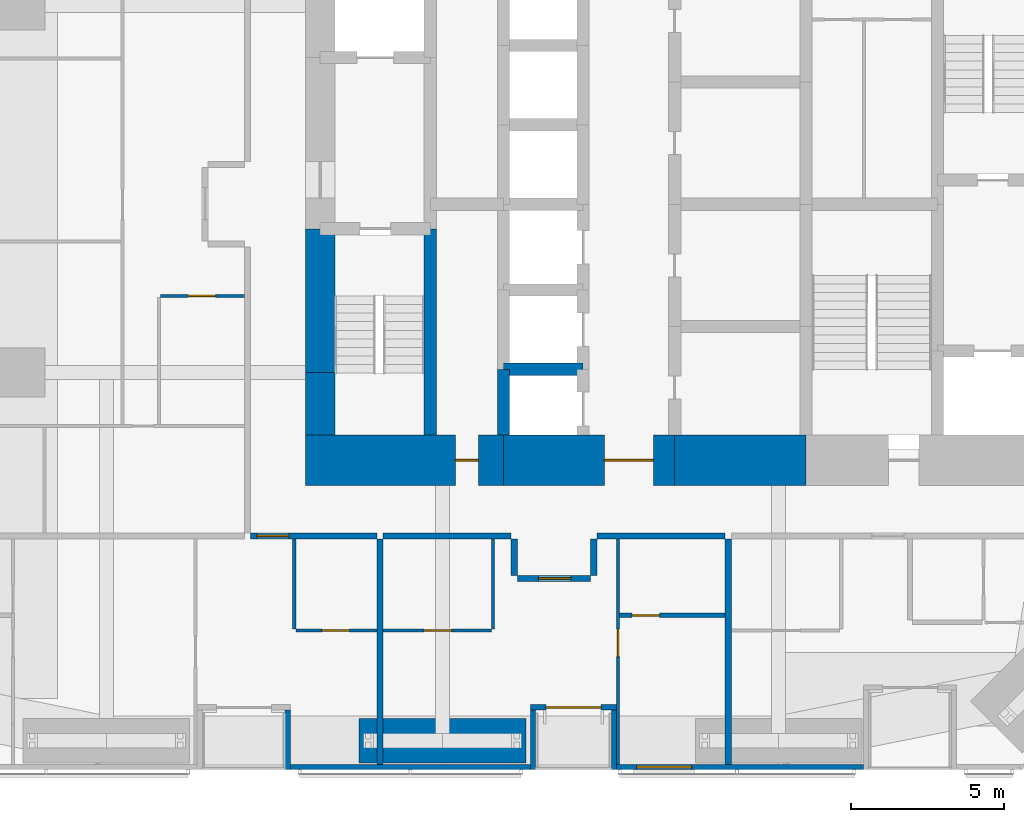
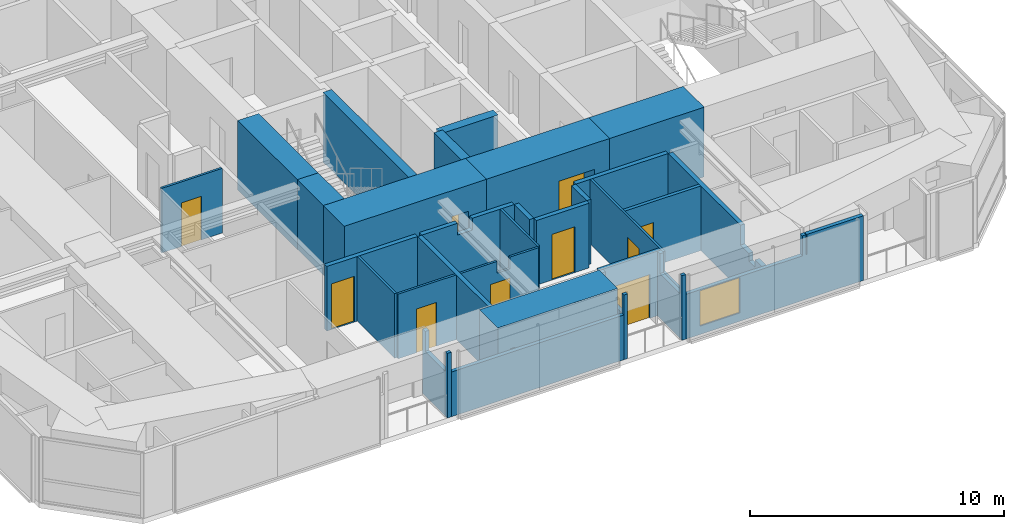
# One storey, part 17 of 23: 30 walls, 10 doors, 1 window, 11 openings.
"""IFC4 building model written with IfcOpenShell, lengths in metres."""

from ifc_helpers import new_model, si_unit, direction, frame, frame_2d, origin, place, context, subcontext, project, spatial, polyline, rectangle, outline, extrude, material, layer, layer_set, constituent, constituent_set, type_object, element, fill, save


model = new_model("IFC4")

# Units and contexts
model_context = context("Model", 3, precision=1e-05, world=origin(), true_north=direction((0.0, 1.0)))
body_context = subcontext(model_context, "Body", "Model", "MODEL_VIEW")
ifc_project = project(units=[si_unit("LENGTHUNIT", "METRE"), si_unit("AREAUNIT", "SQUARE_METRE"), si_unit("VOLUMEUNIT", "CUBIC_METRE"), si_unit("PLANEANGLEUNIT", "RADIAN"), si_unit("MASSUNIT", "GRAM", prefix="KILO")], contexts=[model_context])

# Site, building, storey
site_placement = place(None, origin())
site = spatial("IfcSite", under=ifc_project, at=site_placement, CompositionType="ELEMENT")
building_placement = place(site_placement, origin())
building = spatial("IfcBuilding", under=site, at=building_placement, Name="Jalousie Tower", CompositionType="ELEMENT")
storey_placement = place(building_placement, frame((0.0, 0.0, 24.35009765625)))
storey = spatial("IfcBuildingStorey", under=building, at=storey_placement, Name="L05", CompositionType="ELEMENT", Elevation=24.35009765625)

# Wall, opening, door
ifc_material_1 = material(Name="Concrete block ASTM C90", Category="concrete")
ifc_constituent_1 = constituent(ifc_material_1, Name="Body")
ifc_material_2 = material(Name="Render")
ifc_constituent_2 = constituent(ifc_material_2, Name="Finish")
ifc_constituent_set_1 = constituent_set(constituents=[ifc_constituent_1, ifc_constituent_2])
wall_type_1 = type_object("IfcWallType", Name="BATHROOM WALL 150", PredefinedType="PLUMBINGWALL", material=ifc_constituent_set_1)
wall_1_placement = place(storey_placement, frame((29.800048828125, 5.050048828125, 0.0), z_axis=(0.0, 0.0, 1.0), x_axis=(1.0, 0.0, 0.0)))
wall_1 = element("IfcWall", 1, at=wall_1_placement, inside=storey, type_object=wall_type_1, Name="Bathroom Wall 150 L05", PredefinedType="PLUMBINGWALL", context=body_context, shape_type="SweptSolid", body=[
    extrude(rectangle(XDim=3.449951171875, YDim=0.14990234375, at=frame_2d((1.72509765625, 0.0))), origin(), (0.0, 0.0, 1.0), 3.10986328125),
])
opening_1_placement = place(wall_1_placement, frame((0.39990234375, 0.0, 0.0)))
opening_1 = element("IfcOpeningElement", 2, at=opening_1_placement, cuts=wall_1, Name="Opening D3", PredefinedType="OPENING", context=body_context, shape_type="SweptSolid", body=[
    extrude(rectangle(XDim=0.89990234375, YDim=2.10009765625, at=frame_2d((0.449951171875, 1.050048828125))), frame((0.0, 0.0849609375, 0.0), z_axis=(0.0, -1.0, 0.0), x_axis=(1.0, 0.0, 0.0)), (0.0, 0.0, 1.0), 0.169921875),
])
ifc_material_3 = material(Name="Timber door", Category="wood")
door_type_1 = type_object("IfcDoorType", Name="BATHROOM DOOR 900", OperationType="SINGLE_SWING_LEFT", PredefinedType="DOOR", material=ifc_material_3)
door_1_placement = place(opening_1_placement, origin())
door_1 = element("IfcDoor", 3, at=door_1_placement, inside=storey, type_object=door_type_1, Name="Apartment 0502 bedroom 1 bathroom door", OperationType="SINGLE_SWING_LEFT", OverallHeight=2.10009765625, OverallWidth=0.89990234375, PredefinedType="DOOR", context=body_context, shape_type="SweptSolid", body=[
    extrude(rectangle(XDim=0.89990234375, YDim=2.10009765625, at=frame_2d((0.449951171875, 1.050048828125))), frame((0.0, 0.02490234375, 0.0), z_axis=(0.0, -1.0, 0.0), x_axis=(1.0, 0.0, 0.0)), (0.0, 0.0, 1.0), 0.050048828125),
])
fill(opening_1, door_1)

ifc_material_4 = material(Name="Concrete f'c 120 MPa", Category="concrete")
ifc_layer_1 = layer(ifc_material_4, 1.64990234375)
ifc_layer_set_1 = layer_set([ifc_layer_1], Name="Concrete f'c 120 MPa")
wall_type_2 = type_object("IfcWallType", Name="CORE WALL 1650", PredefinedType="SHEAR", material=ifc_layer_set_1)
wall_2_placement = place(storey_placement, frame((19.52490234375, 10.125, 0.0), z_axis=(0.0, 0.0, 1.0), x_axis=(1.0, 0.0, 0.0)))
wall_2 = element("IfcWall", 4, at=wall_2_placement, inside=storey, type_object=wall_type_2, Name="Core wall SA L05", PredefinedType="SHEAR", context=body_context, shape_type="SweptSolid", body=[
    extrude(rectangle(XDim=6.47509765625, YDim=1.64990234375, at=frame_2d((3.237548828125, 0.0))), origin(), (0.0, 0.0, 1.0), 3.349853515625),
])
opening_2_placement = place(wall_2_placement, frame((4.89990234375, 0.0, 0.0)))
opening_2 = element("IfcOpeningElement", 5, at=opening_2_placement, cuts=wall_2, Name="Opening D16", PredefinedType="OPENING", context=body_context, shape_type="SweptSolid", body=[
    extrude(rectangle(XDim=0.75, YDim=2.10009765625, at=frame_2d((0.375, 1.050048828125))), frame((0.0, 0.8349609375, 0.0), z_axis=(0.0, -1.0, 0.0), x_axis=(1.0, 0.0, 0.0)), (0.0, 0.0, 1.0), 1.669921875),
])
ifc_material_5 = material(Name="Steel fire door", Category="steel")
door_type_2 = type_object("IfcDoorType", Name="RISER DOOR 750", OperationType="SINGLE_SWING_LEFT", PredefinedType="DOOR", material=ifc_material_5)
door_2_placement = place(opening_2_placement, origin())
door_2 = element("IfcDoor", 6, at=door_2_placement, inside=storey, type_object=door_type_2, Name="South riser door", OperationType="SINGLE_SWING_LEFT", OverallHeight=2.10009765625, OverallWidth=0.75, PredefinedType="DOOR", context=body_context, shape_type="SweptSolid", body=[
    extrude(rectangle(XDim=0.75, YDim=2.10009765625, at=frame_2d((0.375, 1.050048828125))), frame((0.0, 0.02490234375, 0.0), z_axis=(0.0, -1.0, 0.0), x_axis=(1.0, 0.0, 0.0)), (0.0, 0.0, 1.0), 0.050048828125),
])
fill(opening_2, door_2)

wall_3_placement = place(storey_placement, frame((26.0, 10.125, 0.0), z_axis=(0.0, 0.0, 1.0), x_axis=(1.0, 0.0, 0.0)))
wall_3 = element("IfcWall", 7, at=wall_3_placement, inside=storey, type_object=wall_type_2, Name="Core wall SB L05", PredefinedType="SHEAR", context=body_context, shape_type="SweptSolid", body=[
    extrude(rectangle(XDim=5.60009765625, YDim=1.64990234375, at=frame_2d((2.800048828125, 0.0))), origin(), (0.0, 0.0, 1.0), 3.349853515625),
])
opening_3_placement = place(wall_3_placement, frame((3.300048828125, 0.0, 0.0)))
opening_3 = element("IfcOpeningElement", 8, at=opening_3_placement, cuts=wall_3, Name="Opening D15", PredefinedType="OPENING", context=body_context, shape_type="SweptSolid", body=[
    extrude(rectangle(XDim=1.60009765625, YDim=2.10009765625, at=frame_2d((0.800048828125, 1.050048828125))), frame((0.0, 0.8349609375, 0.0), z_axis=(0.0, -1.0, 0.0), x_axis=(1.0, 0.0, 0.0)), (0.0, 0.0, 1.0), 1.669921875),
])
ifc_material_6 = material(Name="Steel fire door", Category="steel")
door_type_3 = type_object("IfcDoorType", Name="LIFT LOBBY DOOR 1600", OperationType="DOUBLE_DOOR_SINGLE_SWING", PredefinedType="DOOR", material=ifc_material_6)
door_3_placement = place(opening_3_placement, origin())
door_3 = element("IfcDoor", 9, at=door_3_placement, inside=storey, type_object=door_type_3, Name="Lift lobby south door", OperationType="DOUBLE_DOOR_SINGLE_SWING", OverallHeight=2.10009765625, OverallWidth=1.60009765625, PredefinedType="DOOR", context=body_context, shape_type="SweptSolid", body=[
    extrude(rectangle(XDim=1.60009765625, YDim=2.10009765625, at=frame_2d((0.800048828125, 1.050048828125))), frame((0.0, 0.02490234375, 0.0), z_axis=(0.0, -1.0, 0.0), x_axis=(1.0, 0.0, 0.0)), (0.0, 0.0, 1.0), 0.050048828125),
])
fill(opening_3, door_3)

# Walls
wall_4_placement = place(storey_placement, frame((31.60009765625, 10.125, 0.0), z_axis=(0.0, 0.0, 1.0), x_axis=(1.0, 0.0, 0.0)))
element("IfcWall", 10, at=wall_4_placement, inside=storey, type_object=wall_type_2, Name="Core wall SC L05", PredefinedType="SHEAR", context=body_context, shape_type="SweptSolid", body=[
    extrude(rectangle(XDim=4.2998046875, YDim=1.64990234375, at=frame_2d((2.14990234375, 0.0))), origin(), (0.0, 0.0, 1.0), 3.349853515625),
])
ifc_material_7 = material(Name="Concrete f'c 120 MPa", Category="concrete")
ifc_layer_2 = layer(ifc_material_7, 0.39990234375)
ifc_layer_set_2 = layer_set([ifc_layer_2], Name="Concrete f'c 120 MPa")
wall_type_3 = type_object("IfcWallType", Name="CORE WALL 400", PredefinedType="SHEAR", material=ifc_layer_set_2)
wall_5_placement = place(storey_placement, frame((23.60009765625, 10.949951171875, 0.0), z_axis=(0.0, 0.0, 1.0), x_axis=(0.0, 1.0, 0.0)))
element("IfcWall", 11, at=wall_5_placement, inside=storey, type_object=wall_type_3, Name="Core wall X23.6A L05", PredefinedType="SHEAR", context=body_context, shape_type="SweptSolid", body=[
    extrude(rectangle(XDim=6.75, YDim=0.39990234375, at=frame_2d((3.375, 0.0))), origin(), (0.0, 0.0, 1.0), 3.349853515625),
])
wall_6_placement = place(storey_placement, frame((26.0, 10.949951171875, 0.0), z_axis=(0.0, 0.0, 1.0), x_axis=(0.0, 1.0, 0.0)))
element("IfcWall", 12, at=wall_6_placement, inside=storey, type_object=wall_type_3, Name="Core wall X26A L05", PredefinedType="SHEAR", context=body_context, shape_type="SweptSolid", body=[
    extrude(rectangle(XDim=2.150146484375, YDim=0.39990234375, at=frame_2d((1.0751953125, 0.0))), origin(), (0.0, 0.0, 1.0), 3.349853515625),
])
wall_7_placement = place(storey_placement, frame((26.0, 13.10009765625, 0.0), z_axis=(0.0, 0.0, 1.0), x_axis=(1.0, 0.0, 0.0)))
element("IfcWall", 13, at=wall_7_placement, inside=storey, type_object=wall_type_3, Name="Core wall Y26-13.1 L05", PredefinedType="SHEAR", context=body_context, shape_type="SweptSolid", body=[
    extrude(rectangle(XDim=2.60009765625, YDim=0.39990234375, at=frame_2d((1.300048828125, 0.0))), origin(), (0.0, 0.0, 1.0), 3.349853515625),
])
ifc_material_8 = material(Name="Concrete f'c 120 MPa", Category="concrete")
ifc_layer_3 = layer(ifc_material_8, 0.949951171875)
ifc_layer_set_3 = layer_set([ifc_layer_3], Name="Concrete f'c 120 MPa")
wall_type_4 = type_object("IfcWallType", Name="CORE WALL 950", PredefinedType="SHEAR", material=ifc_layer_set_3)
wall_8_placement = place(storey_placement, frame((20.0, 17.699951171875, 0.0), z_axis=(0.0, 0.0, 1.0), x_axis=(0.0, -1.0, 0.0)))
element("IfcWall", 14, at=wall_8_placement, inside=storey, type_object=wall_type_4, Name="Core wall WC L05", PredefinedType="SHEAR", context=body_context, shape_type="SweptSolid", body=[
    extrude(rectangle(XDim=4.699951171875, YDim=0.949951171875, at=frame_2d((2.35009765625, 0.0))), origin(), (0.0, 0.0, 1.0), 3.349853515625),
])
wall_9_placement = place(storey_placement, frame((20.0, 13.0, 0.0), z_axis=(0.0, 0.0, 1.0), x_axis=(0.0, -1.0, 0.0)))
element("IfcWall", 15, at=wall_9_placement, inside=storey, type_object=wall_type_4, Name="Core wall WD L05", PredefinedType="SHEAR", context=body_context, shape_type="SweptSolid", body=[
    extrude(rectangle(XDim=2.050048828125, YDim=0.949951171875, at=frame_2d((1.02490234375, 0.0))), origin(), (0.0, 0.0, 1.0), 3.349853515625),
])

# Wall, opening, door
ifc_material_9 = material(Name="Concrete block ASTM C90", Category="concrete")
ifc_constituent_3 = constituent(ifc_material_9, Name="Body")
ifc_material_10 = material(Name="Render")
ifc_constituent_4 = constituent(ifc_material_10, Name="Finish")
ifc_constituent_set_2 = constituent_set(constituents=[ifc_constituent_3, ifc_constituent_4])
wall_type_5 = type_object("IfcWallType", Name="CORRIDOR WALL 200", PredefinedType="PARTITIONING", material=ifc_constituent_set_2)
wall_10_placement = place(storey_placement, frame((17.72509765625, 7.64990234375, 0.0), z_axis=(0.0, 0.0, 1.0), x_axis=(1.0, 0.0, 0.0)))
wall_10 = element("IfcWall", 16, at=wall_10_placement, inside=storey, type_object=wall_type_5, Name="Corridor Wall 200 L05", PredefinedType="PARTITIONING", context=body_context, shape_type="SweptSolid", body=[
    extrude(rectangle(XDim=4.125, YDim=0.199951171875, at=frame_2d((2.0625, 0.0))), origin(), (0.0, 0.0, 1.0), 3.10986328125),
])
opening_4_placement = place(wall_10_placement, frame((0.199951171875, 0.0, 0.0)))
opening_4 = element("IfcOpeningElement", 17, at=opening_4_placement, cuts=wall_10, Name="Opening D1", PredefinedType="OPENING", context=body_context, shape_type="SweptSolid", body=[
    extrude(rectangle(XDim=1.050048828125, YDim=2.199951171875, at=frame_2d((0.52490234375, 1.10009765625))), frame((0.0, 0.10986328125, 0.0), z_axis=(0.0, -1.0, 0.0), x_axis=(1.0, 0.0, 0.0)), (0.0, 0.0, 1.0), 0.219970703125),
])
ifc_material_11 = material(Name="Timber fire door", Category="wood")
door_type_4 = type_object("IfcDoorType", Name="APARTMENT ENTRANCE DOOR 1050", OperationType="SINGLE_SWING_LEFT", PredefinedType="DOOR", material=ifc_material_11)
door_4_placement = place(opening_4_placement, frame((1.050048828125, 0.0, 0.0), z_axis=(0.0, 0.0, 1.0), x_axis=(-1.0, 0.0, 0.0)))
door_4 = element("IfcDoor", 18, at=door_4_placement, inside=storey, type_object=door_type_4, Name="Apartment 0501 entrance", OperationType="SINGLE_SWING_LEFT", OverallHeight=2.199951171875, OverallWidth=1.050048828125, PredefinedType="DOOR", context=body_context, shape_type="SweptSolid", body=[
    extrude(rectangle(XDim=1.050048828125, YDim=2.199951171875, at=frame_2d((0.52490234375, 1.10009765625))), frame((0.0, 0.02490234375, 0.0), z_axis=(0.0, -1.0, 0.0), x_axis=(1.0, 0.0, 0.0)), (0.0, 0.0, 1.0), 0.050048828125),
])
fill(opening_4, door_4)

# Walls
wall_11_placement = place(storey_placement, frame((22.050048828125, 7.64990234375, 0.0), z_axis=(0.0, 0.0, 1.0), x_axis=(1.0, 0.0, 0.0)))
element("IfcWall", 19, at=wall_11_placement, inside=storey, type_object=wall_type_5, Name="Corridor Wall 200 L05", PredefinedType="PARTITIONING", context=body_context, shape_type="SweptSolid", body=[
    extrude(outline(polyline([(0.0, 0.0), (4.199951171875, 0.0), (4.199951171875, 3.10986328125), (2.287353515625, 3.10986328125), (2.287353515625, 2.541015625), (1.612548828125, 2.541015625), (1.612548828125, 3.10986328125), (0.0, 3.10986328125), (0.0, 0.0)])), frame((0.0, 0.10009765625, 0.0), z_axis=(0.0, -1.0, 0.0), x_axis=(1.0, 0.0, 0.0)), (0.0, 0.0, 1.0), 0.199951171875),
])
wall_12_placement = place(storey_placement, frame((29.050048828125, 7.64990234375, 0.0), z_axis=(0.0, 0.0, 1.0), x_axis=(1.0, 0.0, 0.0)))
element("IfcWall", 20, at=wall_12_placement, inside=storey, type_object=wall_type_5, Name="Corridor Wall 200 L05", PredefinedType="PARTITIONING", context=body_context, shape_type="SweptSolid", body=[
    extrude(rectangle(XDim=4.199951171875, YDim=0.199951171875, at=frame_2d((2.10009765625, 0.0))), origin(), (0.0, 0.0, 1.0), 3.10986328125),
])

# Wall, opening, door
wall_13_placement = place(storey_placement, frame((26.449951171875, 6.25, 0.0), z_axis=(0.0, 0.0, 1.0), x_axis=(1.0, 0.0, 0.0)))
wall_13 = element("IfcWall", 21, at=wall_13_placement, inside=storey, type_object=wall_type_5, Name="Corridor Wall 200 L05", PredefinedType="PARTITIONING", context=body_context, shape_type="SweptSolid", body=[
    extrude(rectangle(XDim=2.400146484375, YDim=0.199951171875, at=frame_2d((1.2001953125, 0.0))), origin(), (0.0, 0.0, 1.0), 3.10986328125),
])
opening_5_placement = place(wall_13_placement, frame((0.699951171875, 0.0, 0.0)))
opening_5 = element("IfcOpeningElement", 22, at=opening_5_placement, cuts=wall_13, Name="Opening D1", PredefinedType="OPENING", context=body_context, shape_type="SweptSolid", body=[
    extrude(rectangle(XDim=1.050048828125, YDim=2.199951171875, at=frame_2d((0.52490234375, 1.10009765625))), frame((0.0, 0.10986328125, 0.0), z_axis=(0.0, -1.0, 0.0), x_axis=(1.0, 0.0, 0.0)), (0.0, 0.0, 1.0), 0.219970703125),
])
door_5_placement = place(opening_5_placement, frame((1.050048828125, 0.0, 0.0), z_axis=(0.0, 0.0, 1.0), x_axis=(-1.0, 0.0, 0.0)))
door_5 = element("IfcDoor", 23, at=door_5_placement, inside=storey, type_object=door_type_4, Name="Apartment 0502 entrance", OperationType="SINGLE_SWING_RIGHT", OverallHeight=2.199951171875, OverallWidth=1.050048828125, PredefinedType="DOOR", context=body_context, shape_type="SweptSolid", body=[
    extrude(rectangle(XDim=1.050048828125, YDim=2.199951171875, at=frame_2d((0.52490234375, 1.10009765625))), frame((0.0, 0.02490234375, 0.0), z_axis=(0.0, -1.0, 0.0), x_axis=(1.0, 0.0, 0.0)), (0.0, 0.0, 1.0), 0.050048828125),
])
fill(opening_5, door_5)

# Walls
for number, where, z_axis, x_axis, name in (
    (24, (26.35009765625, 7.550048828125, 0.0), (0.0, 0.0, 1.0), (0.0, -1.0, 0.0), "Corridor Wall 200 L05"),
    (25, (28.949951171875, 7.550048828125, 0.0), (0.0, 0.0, 1.0), (0.0, -1.0, 0.0), "Corridor Wall 200 L05"),
):
    element("IfcWall", number, at=place(storey_placement, frame(where, z_axis=z_axis, x_axis=x_axis)), inside=storey, type_object=wall_type_5, Name=name, PredefinedType="PARTITIONING", context=body_context, shape_type="SweptSolid", body=[
        extrude(rectangle(XDim=1.199951171875, YDim=0.199951171875, at=frame_2d((0.60009765625, 0.0))), origin(), (0.0, 0.0, 1.0), 3.10986328125),
    ])
ifc_material_12 = material(Name="Concrete f'c 40 MPa", Category="concrete")
ifc_constituent_5 = constituent(ifc_material_12, Name="Body")
ifc_material_13 = material(Name="Render, pastel coral")
ifc_constituent_6 = constituent(ifc_material_13, Name="Finish")
ifc_constituent_set_3 = constituent_set(constituents=[ifc_constituent_5, ifc_constituent_6])
wall_type_6 = type_object("IfcWallType", Name="EXTERNAL WALL 175 CORAL RENDER", PredefinedType="SOLIDWALL", material=ifc_constituent_set_3)
wall_14_placement = place(storey_placement, frame((19.02490234375, 0.08740234375, 0.0), z_axis=(0.0, 0.0, 1.0), x_axis=(1.0, 0.0, 0.0)))
element("IfcWall", 26, at=wall_14_placement, inside=storey, type_object=wall_type_6, Name="External Wall 175 Coral Render L05", PredefinedType="SOLIDWALL", context=body_context, shape_type="SweptSolid", body=[
    extrude(rectangle(XDim=7.85009765625, YDim=0.175048828125, at=frame_2d((3.925048828125, 0.0))), origin(), (0.0, 0.0, 1.0), 2.14990234375),
])

# Wall, opening, window
wall_15_placement = place(storey_placement, frame((29.699951171875, 0.08740234375, 0.0), z_axis=(0.0, 0.0, 1.0), x_axis=(1.0, 0.0, 0.0)))
wall_15 = element("IfcWall", 27, at=wall_15_placement, inside=storey, type_object=wall_type_6, Name="External Wall 175 Coral Render L05", PredefinedType="SOLIDWALL", context=body_context, shape_type="SweptSolid", body=[
    extrude(outline(polyline([(0.0, 0.0), (8.074951171875, 0.0), (8.074951171875, 3.10986328125), (5.50390625, 3.10986328125), (5.50390625, 2.14990234375), (5.455810546875, 2.14990234375), (5.455810546875, 3.10986328125), (5.300048828125, 3.10986328125), (5.300048828125, 2.14990234375), (0.0, 2.14990234375), (0.0, 0.0)])), frame((0.0, 0.08740234375, 0.0), z_axis=(0.0, -1.0, 0.0), x_axis=(1.0, 0.0, 0.0)), (0.0, 0.0, 1.0), 0.175048828125),
])
opening_6_placement = place(wall_15_placement, frame((0.64990234375, 0.0, 0.39990234375)))
opening_6 = element("IfcOpeningElement", 28, at=opening_6_placement, cuts=wall_15, Name="Opening W-BED170", PredefinedType="OPENING", context=body_context, shape_type="SweptSolid", body=[
    extrude(rectangle(XDim=1.800048828125, YDim=1.699951171875, at=frame_2d((0.89990234375, 0.85009765625))), frame((0.0, 0.097412109375, 0.0), z_axis=(0.0, -1.0, 0.0), x_axis=(1.0, 0.0, 0.0)), (0.0, 0.0, 1.0), 0.195068359375),
])
ifc_material_14 = material(Name="Aluminium frame, impact-rated glazing", Category="aluminium")
window_type = type_object("IfcWindowType", Name="WINDOW BED 1800x1700", PartitioningType="SINGLE_PANEL", PredefinedType="WINDOW", material=ifc_material_14)
window_placement = place(opening_6_placement, origin())
window = element("IfcWindow", 29, at=window_placement, inside=storey, type_object=window_type, Name="Apartment 0502 bedroom 1 window", OverallHeight=1.699951171875, OverallWidth=1.800048828125, PartitioningType="SINGLE_PANEL", PredefinedType="WINDOW", context=body_context, shape_type="SweptSolid", body=[
    extrude(rectangle(XDim=1.800048828125, YDim=1.699951171875, at=frame_2d((0.89990234375, 0.85009765625))), frame((0.0, 0.030029296875, 0.0), z_axis=(0.0, -1.0, 0.0), x_axis=(1.0, 0.0, 0.0)), (0.0, 0.0, 1.0), 0.06005859375),
])
fill(opening_6, window)

# Wall
wall_16_placement = place(storey_placement, frame((18.9375, 0.0, 0.0), z_axis=(0.0, 0.0, 1.0), x_axis=(0.0, 1.0, 0.0)))
element("IfcWall", 30, at=wall_16_placement, inside=storey, type_object=wall_type_6, Name="External Wall 175 Coral Render L05", PredefinedType="SOLIDWALL", context=body_context, shape_type="SweptSolid", body=[
    extrude(outline(polyline([(0.0, 0.0), (1.949951171875, 0.0), (1.949951171875, 3.10986328125), (1.75, 3.10986328125), (1.75, 2.14990234375), (0.14990234375, 2.14990234375), (0.14990234375, 3.10986328125), (0.0, 3.10986328125), (0.0, 0.0)])), frame((0.0, 0.08740234375, 0.0), z_axis=(0.0, -1.0, 0.0), x_axis=(1.0, 0.0, 0.0)), (0.0, 0.0, 1.0), 0.175048828125),
])

# Wall, opening, door
wall_17_placement = place(storey_placement, frame((26.875, 2.03759765625, 0.0), z_axis=(0.0, 0.0, 1.0), x_axis=(1.0, 0.0, 0.0)))
wall_17 = element("IfcWall", 31, at=wall_17_placement, inside=storey, type_object=wall_type_6, Name="External Wall 175 Coral Render L05", PredefinedType="SOLIDWALL", context=body_context, shape_type="SweptSolid", body=[
    extrude(rectangle(XDim=2.824951171875, YDim=0.175048828125, at=frame_2d((1.41259765625, 0.0))), origin(), (0.0, 0.0, 1.0), 3.10986328125),
])
opening_7_placement = place(wall_17_placement, frame((0.512451171875, 0.0, 0.0)))
opening_7 = element("IfcOpeningElement", 32, at=opening_7_placement, cuts=wall_17, Name="Opening D-BAL21", PredefinedType="OPENING", context=body_context, shape_type="SweptSolid", body=[
    extrude(rectangle(XDim=1.800048828125, YDim=2.10009765625, at=frame_2d((0.89990234375, 1.050048828125))), frame((0.0, 0.097412109375, 0.0), z_axis=(0.0, -1.0, 0.0), x_axis=(1.0, 0.0, 0.0)), (0.0, 0.0, 1.0), 0.195068359375),
])
ifc_material_15 = material(Name="Aluminium frame, impact-rated glazing", Category="aluminium")
door_type_5 = type_object("IfcDoorType", Name="BALCONY DOOR 1800x2100", OperationType="SLIDING_TO_LEFT", PredefinedType="DOOR", material=ifc_material_15)
door_6_placement = place(opening_7_placement, origin())
door_6 = element("IfcDoor", 33, at=door_6_placement, inside=storey, type_object=door_type_5, Name="Apartment 0502 living and dining room loggia door", OperationType="SLIDING_TO_LEFT", OverallHeight=2.10009765625, OverallWidth=1.800048828125, PredefinedType="DOOR", context=body_context, shape_type="SweptSolid", body=[
    extrude(rectangle(XDim=1.800048828125, YDim=2.10009765625, at=frame_2d((0.89990234375, 1.050048828125))), frame((0.0, 0.02490234375, 0.0), z_axis=(0.0, -1.0, 0.0), x_axis=(1.0, 0.0, 0.0)), (0.0, 0.0, 1.0), 0.050048828125),
])
fill(opening_7, door_6)

# Walls
for number, where, z_axis, x_axis, name in (
    (34, (26.96240234375, 0.0, 0.0), (0.0, 0.0, 1.0), (0.0, 1.0, 0.0), "External Wall 175 Coral Render L05"),
    (35, (29.612548828125, 0.0, 0.0), (0.0, 0.0, 1.0), (0.0, 1.0, 0.0), "External Wall 175 Coral Render L05"),
):
    element("IfcWall", number, at=place(storey_placement, frame(where, z_axis=z_axis, x_axis=x_axis)), inside=storey, type_object=wall_type_6, Name=name, PredefinedType="SOLIDWALL", context=body_context, shape_type="SweptSolid", body=[
        extrude(outline(polyline([(0.0, 0.0), (1.949951171875, 0.0), (1.949951171875, 3.10986328125), (1.75, 3.10986328125), (1.75, 2.14990234375), (0.14990234375, 2.14990234375), (0.14990234375, 3.10986328125), (0.0, 3.10986328125), (0.0, 0.0)])), frame((0.0, 0.08740234375, 0.0), z_axis=(0.0, -1.0, 0.0), x_axis=(1.0, 0.0, 0.0)), (0.0, 0.0, 1.0), 0.175048828125),
    ])

# Wall, opening, door
ifc_material_16 = material(Name="Gypsum board", Category="gypsum")
ifc_constituent_7 = constituent(ifc_material_16, Name="Body")
ifc_material_17 = material(Name="Light-gauge steel studs ASTM A653 SS Grade 33", Category="steel")
ifc_constituent_8 = constituent(ifc_material_17, Name="Framing")
ifc_constituent_set_4 = constituent_set(constituents=[ifc_constituent_7, ifc_constituent_8])
wall_type_7 = type_object("IfcWallType", Name="PARTITION 100", PredefinedType="PARTITIONING", material=ifc_constituent_set_4)
wall_18_placement = place(storey_placement, frame((19.199951171875, 4.550048828125, 0.0), z_axis=(0.0, 0.0, 1.0), x_axis=(1.0, 0.0, 0.0)))
wall_18 = element("IfcWall", 36, at=wall_18_placement, inside=storey, type_object=wall_type_7, Name="Partition 100 L05", PredefinedType="PARTITIONING", context=body_context, shape_type="SweptSolid", body=[
    extrude(rectangle(XDim=2.650146484375, YDim=0.10009765625, at=frame_2d((1.3251953125, 0.0))), origin(), (0.0, 0.0, 1.0), 3.10986328125),
])
opening_8_placement = place(wall_18_placement, frame((0.85009765625, 0.0, 0.0)))
opening_8 = element("IfcOpeningElement", 37, at=opening_8_placement, cuts=wall_18, Name="Opening D7", PredefinedType="OPENING", context=body_context, shape_type="SweptSolid", body=[
    extrude(rectangle(XDim=0.89990234375, YDim=2.10009765625, at=frame_2d((0.449951171875, 1.050048828125))), frame((0.0, 0.06005859375, 0.0), z_axis=(0.0, -1.0, 0.0), x_axis=(1.0, 0.0, 0.0)), (0.0, 0.0, 1.0), 0.1201171875),
])
ifc_material_18 = material(Name="Timber door", Category="wood")
door_type_6 = type_object("IfcDoorType", Name="INTERNAL DOOR 900", OperationType="SINGLE_SWING_LEFT", PredefinedType="DOOR", material=ifc_material_18)
door_7_placement = place(opening_8_placement, origin())
door_7 = element("IfcDoor", 38, at=door_7_placement, inside=storey, type_object=door_type_6, Name="Apartment 0501 kitchen door", OperationType="SINGLE_SWING_LEFT", OverallHeight=2.10009765625, OverallWidth=0.89990234375, PredefinedType="DOOR", context=body_context, shape_type="SweptSolid", body=[
    extrude(rectangle(XDim=0.89990234375, YDim=2.10009765625, at=frame_2d((0.449951171875, 1.050048828125))), frame((0.0, 0.02490234375, 0.0), z_axis=(0.0, -1.0, 0.0), x_axis=(1.0, 0.0, 0.0)), (0.0, 0.0, 1.0), 0.050048828125),
])
fill(opening_8, door_7)

# Wall
wall_19_placement = place(storey_placement, frame((19.14990234375, 4.60009765625, 0.0), z_axis=(0.0, 0.0, 1.0), x_axis=(0.0, 1.0, 0.0)))
element("IfcWall", 39, at=wall_19_placement, inside=storey, type_object=wall_type_7, Name="Partition 100 L05", PredefinedType="PARTITIONING", context=body_context, shape_type="SweptSolid", body=[
    extrude(rectangle(XDim=2.949951171875, YDim=0.10009765625, at=frame_2d((1.47509765625, 0.0))), origin(), (0.0, 0.0, 1.0), 3.10986328125),
])

# Wall, opening, door
wall_20_placement = place(storey_placement, frame((29.75, 0.175048828125, 0.0), z_axis=(0.0, 0.0, 1.0), x_axis=(0.0, 1.0, 0.0)))
wall_20 = element("IfcWall", 40, at=wall_20_placement, inside=storey, type_object=wall_type_7, Name="Partition 100 L05", PredefinedType="PARTITIONING", context=body_context, shape_type="SweptSolid", body=[
    extrude(outline(polyline([(0.0, 0.0), (7.375, 0.0), (7.375, 3.10986328125), (1.635009765625, 3.10986328125), (1.635009765625, 2.14990234375), (0.0, 2.14990234375), (0.0, 3.10986328125), (0.0, 0.0)])), frame((0.0, 0.050048828125, 0.0), z_axis=(0.0, -1.0, 0.0), x_axis=(1.0, 0.0, 0.0)), (0.0, 0.0, 1.0), 0.10009765625),
])
opening_9_placement = place(wall_20_placement, frame((3.52490234375, 0.0, 0.0)))
opening_9 = element("IfcOpeningElement", 41, at=opening_9_placement, cuts=wall_20, Name="Opening D2", PredefinedType="OPENING", context=body_context, shape_type="SweptSolid", body=[
    extrude(rectangle(XDim=0.89990234375, YDim=2.10009765625, at=frame_2d((0.449951171875, 1.050048828125))), frame((0.0, 0.06005859375, 0.0), z_axis=(0.0, -1.0, 0.0), x_axis=(1.0, 0.0, 0.0)), (0.0, 0.0, 1.0), 0.1201171875),
])
ifc_material_19 = material(Name="Timber door", Category="wood")
door_type_7 = type_object("IfcDoorType", Name="BEDROOM DOOR 900", OperationType="SINGLE_SWING_LEFT", PredefinedType="DOOR", material=ifc_material_19)
door_8_placement = place(opening_9_placement, frame((0.89990234375, 0.0, 0.0), z_axis=(0.0, 0.0, 1.0), x_axis=(-1.0, 0.0, 0.0)))
door_8 = element("IfcDoor", 42, at=door_8_placement, inside=storey, type_object=door_type_7, Name="Apartment 0502 bedroom 1 door", OperationType="SINGLE_SWING_LEFT", OverallHeight=2.10009765625, OverallWidth=0.89990234375, PredefinedType="DOOR", context=body_context, shape_type="SweptSolid", body=[
    extrude(rectangle(XDim=0.89990234375, YDim=2.10009765625, at=frame_2d((0.449951171875, 1.050048828125))), frame((0.0, 0.02490234375, 0.0), z_axis=(0.0, -1.0, 0.0), x_axis=(1.0, 0.0, 0.0)), (0.0, 0.0, 1.0), 0.050048828125),
])
fill(opening_9, door_8)

wall_21_placement = place(storey_placement, frame((22.050048828125, 4.550048828125, 0.0), z_axis=(0.0, 0.0, 1.0), x_axis=(1.0, 0.0, 0.0)))
wall_21 = element("IfcWall", 43, at=wall_21_placement, inside=storey, type_object=wall_type_7, Name="Partition 100 L05", PredefinedType="PARTITIONING", context=body_context, shape_type="SweptSolid", body=[
    extrude(outline(polyline([(0.0, 0.0), (3.550048828125, 0.0), (3.550048828125, 3.10986328125), (2.2373046875, 3.10986328125), (2.2373046875, 2.541015625), (1.66259765625, 2.541015625), (1.66259765625, 3.10986328125), (0.0, 3.10986328125), (0.0, 0.0)])), frame((0.0, 0.050048828125, 0.0), z_axis=(0.0, -1.0, 0.0), x_axis=(1.0, 0.0, 0.0)), (0.0, 0.0, 1.0), 0.10009765625),
])
opening_10_placement = place(wall_21_placement, frame((1.35009765625, 0.0, 0.0)))
opening_10 = element("IfcOpeningElement", 44, at=opening_10_placement, cuts=wall_21, Name="Opening D7", PredefinedType="OPENING", context=body_context, shape_type="SweptSolid", body=[
    extrude(rectangle(XDim=0.89990234375, YDim=2.10009765625, at=frame_2d((0.449951171875, 1.050048828125))), frame((0.0, 0.06005859375, 0.0), z_axis=(0.0, -1.0, 0.0), x_axis=(1.0, 0.0, 0.0)), (0.0, 0.0, 1.0), 0.1201171875),
])
door_9_placement = place(opening_10_placement, frame((0.89990234375, 0.0, 0.0), z_axis=(0.0, 0.0, 1.0), x_axis=(-1.0, 0.0, 0.0)))
door_9 = element("IfcDoor", 45, at=door_9_placement, inside=storey, type_object=door_type_6, Name="Apartment 0502 kitchen door", OperationType="SINGLE_SWING_RIGHT", OverallHeight=2.10009765625, OverallWidth=0.89990234375, PredefinedType="DOOR", context=body_context, shape_type="SweptSolid", body=[
    extrude(rectangle(XDim=0.89990234375, YDim=2.10009765625, at=frame_2d((0.449951171875, 1.050048828125))), frame((0.0, 0.02490234375, 0.0), z_axis=(0.0, -1.0, 0.0), x_axis=(1.0, 0.0, 0.0)), (0.0, 0.0, 1.0), 0.050048828125),
])
fill(opening_10, door_9)

# Wall
wall_22_placement = place(storey_placement, frame((25.64990234375, 4.60009765625, 0.0), z_axis=(0.0, 0.0, 1.0), x_axis=(0.0, 1.0, 0.0)))
element("IfcWall", 46, at=wall_22_placement, inside=storey, type_object=wall_type_7, Name="Partition 100 L05", PredefinedType="PARTITIONING", context=body_context, shape_type="SweptSolid", body=[
    extrude(rectangle(XDim=2.949951171875, YDim=0.10009765625, at=frame_2d((1.47509765625, 0.0))), origin(), (0.0, 0.0, 1.0), 3.10986328125),
])

# Wall, opening, door
wall_23_placement = place(storey_placement, frame((14.77490234375, 15.5, 0.0), z_axis=(0.0, 0.0, 1.0), x_axis=(1.0, 0.0, 0.0)))
wall_23 = element("IfcWall", 47, at=wall_23_placement, inside=storey, type_object=wall_type_7, Name="Partition 100 L05", PredefinedType="PARTITIONING", context=body_context, shape_type="SweptSolid", body=[
    extrude(rectangle(XDim=2.75, YDim=0.10009765625, at=frame_2d((1.375, 0.0))), origin(), (0.0, 0.0, 1.0), 3.10986328125),
])
opening_11_placement = place(wall_23_placement, frame((0.89990234375, 0.0, 0.0)))
opening_11 = element("IfcOpeningElement", 48, at=opening_11_placement, cuts=wall_23, Name="Opening D7", PredefinedType="OPENING", context=body_context, shape_type="SweptSolid", body=[
    extrude(rectangle(XDim=0.89990234375, YDim=2.10009765625, at=frame_2d((0.449951171875, 1.050048828125))), frame((0.0, 0.06005859375, 0.0), z_axis=(0.0, -1.0, 0.0), x_axis=(1.0, 0.0, 0.0)), (0.0, 0.0, 1.0), 0.1201171875),
])
door_10_placement = place(opening_11_placement, frame((0.89990234375, 0.0, 0.0), z_axis=(0.0, 0.0, 1.0), x_axis=(-1.0, 0.0, 0.0)))
door_10 = element("IfcDoor", 49, at=door_10_placement, inside=storey, type_object=door_type_6, Name="Apartment 0506 kitchen door", OperationType="SINGLE_SWING_RIGHT", OverallHeight=2.10009765625, OverallWidth=0.89990234375, PredefinedType="DOOR", context=body_context, shape_type="SweptSolid", body=[
    extrude(rectangle(XDim=0.89990234375, YDim=2.10009765625, at=frame_2d((0.449951171875, 1.050048828125))), frame((0.0, 0.02490234375, 0.0), z_axis=(0.0, -1.0, 0.0), x_axis=(1.0, 0.0, 0.0)), (0.0, 0.0, 1.0), 0.050048828125),
])
fill(opening_11, door_10)

# Walls
ifc_material_20 = material(Name="Concrete block ASTM C90", Category="concrete")
ifc_constituent_9 = constituent(ifc_material_20, Name="Body")
ifc_material_21 = material(Name="Render")
ifc_constituent_10 = constituent(ifc_material_21, Name="Finish")
ifc_constituent_set_5 = constituent_set(constituents=[ifc_constituent_9, ifc_constituent_10])
wall_type_8 = type_object("IfcWallType", Name="PARTY WALL 200", PredefinedType="PARTITIONING", material=ifc_constituent_set_5)
wall_24_placement = place(storey_placement, frame((21.949951171875, 0.175048828125, 0.0), z_axis=(0.0, 0.0, 1.0), x_axis=(0.0, 1.0, 0.0)))
element("IfcWall", 50, at=wall_24_placement, inside=storey, type_object=wall_type_8, Name="Party Wall 200 L05", PredefinedType="PARTITIONING", context=body_context, shape_type="SweptSolid", body=[
    extrude(outline(polyline([(0.52880859375, 2.14990234375), (0.0, 2.14990234375), (0.0, 0.0), (0.52880859375, 0.0), (0.52880859375, 0.08984375), (1.021240234375, 0.08984375), (1.021240234375, 0.0), (7.375, 0.0), (7.375, 3.10986328125), (1.68505859375, 3.10986328125), (1.68505859375, 2.14990234375), (1.021240234375, 2.14990234375), (1.021240234375, 2.059814453125), (0.52880859375, 2.059814453125), (0.52880859375, 2.14990234375)])), frame((0.0, 0.10009765625, 0.0), z_axis=(0.0, -1.0, 0.0), x_axis=(1.0, 0.0, 0.0)), (0.0, 0.0, 1.0), 0.199951171875),
])
wall_25_placement = place(storey_placement, frame((33.35009765625, 0.175048828125, 0.0), z_axis=(0.0, 0.0, 1.0), x_axis=(0.0, 1.0, 0.0)))
element("IfcWall", 51, at=wall_25_placement, inside=storey, type_object=wall_type_8, Name="Party Wall 200 L05", PredefinedType="PARTITIONING", context=body_context, shape_type="SweptSolid", body=[
    extrude(outline(polyline([(0.52880859375, 2.14990234375), (0.0, 2.14990234375), (0.0, 0.0), (0.52880859375, 0.0), (0.52880859375, 0.3662109375), (1.021240234375, 0.3662109375), (1.021240234375, 0.0), (7.375, 0.0), (7.375, 3.10986328125), (1.68505859375, 3.10986328125), (1.68505859375, 2.14990234375), (1.021240234375, 2.14990234375), (1.021240234375, 1.78369140625), (0.52880859375, 1.78369140625), (0.52880859375, 2.14990234375)])), frame((0.0, 0.10009765625, 0.0), z_axis=(0.0, -1.0, 0.0), x_axis=(1.0, 0.0, 0.0)), (0.0, 0.0, 1.0), 0.199951171875),
])
ifc_material_22 = material(Name="Concrete f'c 120 MPa", Category="concrete")
ifc_layer_4 = layer(ifc_material_22, 1.449951171875)
ifc_layer_set_4 = layer_set([ifc_layer_4], Name="Concrete f'c 120 MPa")
wall_type_9 = type_object("IfcWallType", Name="RC WALL PIER 1450", PredefinedType="SHEAR", material=ifc_layer_set_4)
wall_26_placement = place(storey_placement, frame((21.27490234375, 0.949951171875, 0.0), z_axis=(0.0, 0.0, 1.0), x_axis=(1.0, 0.0, 0.0)))
element("IfcWall", 52, at=wall_26_placement, inside=storey, type_object=wall_type_9, Name="Wall pier 03 L05", PredefinedType="SHEAR", context=body_context, shape_type="SweptSolid", body=[
    extrude(rectangle(XDim=5.4501953125, YDim=1.449951171875, at=frame_2d((2.72509765625, 0.0))), origin(), (0.0, 0.0, 1.0), 3.349853515625),
])

save(model, "model.ifc")
